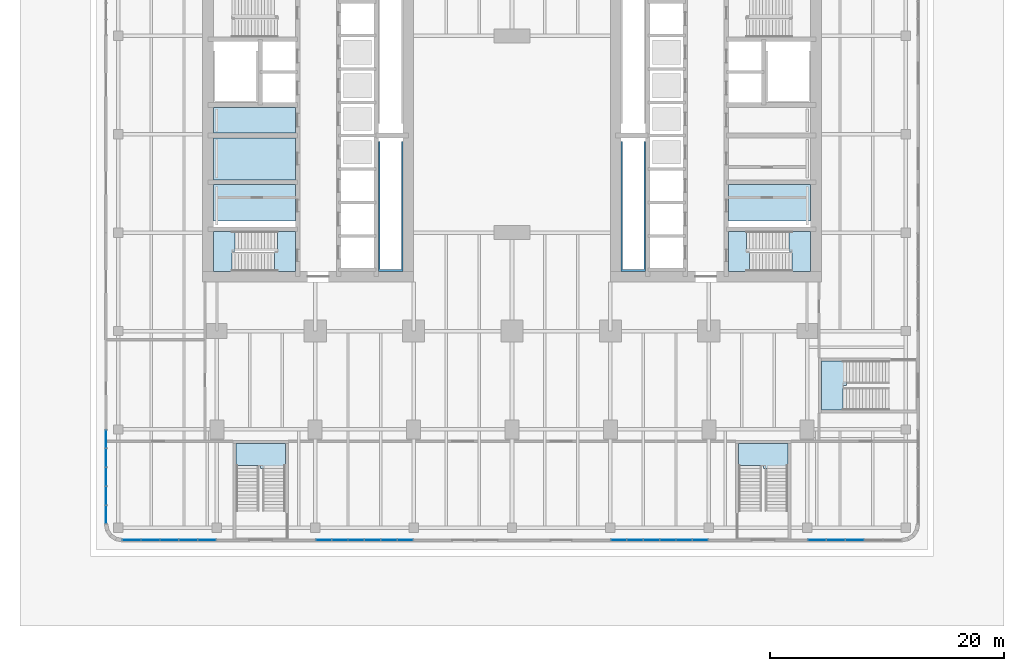
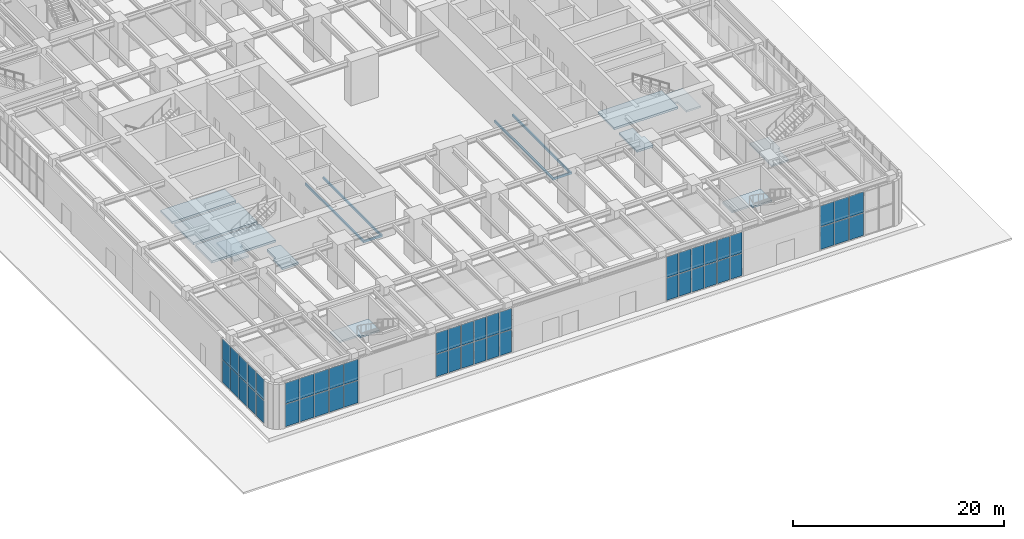
# One storey, part 13 of 31: 50 plates, 13 slabs, 10 elements without a shape of their own.
"""IFC4 building model written with IfcOpenShell, lengths in metres."""

from ifc_helpers import new_model, si_unit, direction, frame, origin, origin_2d, place, context, subcontext, project, spatial, polyline, rectangle, outline, extrude, material, layer, layer_set, type_object, element, aggregate, save


model = new_model("IFC4")

# Units and contexts
model_context = context("Model", 3, precision=1e-05, world=origin(), true_north=direction((0.0, 1.0)))
body_context = subcontext(model_context, "Body", "Model", "MODEL_VIEW")
ifc_project = project(units=[si_unit("LENGTHUNIT", "METRE"), si_unit("AREAUNIT", "SQUARE_METRE"), si_unit("VOLUMEUNIT", "CUBIC_METRE"), si_unit("PLANEANGLEUNIT", "RADIAN"), si_unit("MASSUNIT", "GRAM", prefix="KILO")], contexts=[model_context])

# Site, building, storey
site_placement = place(None, origin())
site = spatial("IfcSite", under=ifc_project, at=site_placement, CompositionType="ELEMENT")
building_placement = place(site_placement, origin())
building = spatial("IfcBuilding", under=site, at=building_placement, Name="Claustro Exchange Tower", CompositionType="ELEMENT")
storey_placement = place(building_placement, origin())
storey = spatial("IfcBuildingStorey", under=building, at=storey_placement, Name="L00", CompositionType="ELEMENT", Elevation=0.0)

# Curtain wall, plates
ifc_material_1 = material(Name="Aluminium frame, clear double glazing", Category="aluminium")
curtain_wall_type = type_object("IfcCurtainWallType", Name="CW1 storefront curtain wall", PredefinedType="USERDEFINED", material=ifc_material_1)
curtain_wall_1_placement = place(storey_placement, origin())
curtain_wall_1 = element("IfcCurtainWall", 1, at=curtain_wall_1_placement, inside=storey, type_object=curtain_wall_type, Name="Curtain wall CW1 L00", ObjectType="STICK CURTAIN WALL", PredefinedType="USERDEFINED")
ifc_material_2 = material(Name="Clear double glazing", Category="glass")
ifc_layer_1 = layer(ifc_material_2, 0.031982421875)
ifc_layer_set_1 = layer_set([ifc_layer_1], Name="Clear double glazing")
plate_type = type_object("IfcPlateType", Name="CW1-P 32 glazed panel", PredefinedType="CURTAIN_PANEL", material=ifc_layer_set_1)
plate_1_placement = place(storey_placement, frame((-7.2578125, -9.449951171875, 0.074951171875), z_axis=(0.0, 0.0, 1.0), x_axis=(1.0, 0.0, 0.0)))
plate_1 = element("IfcPlate", 2, at=plate_1_placement, type_object=plate_type, Name="CW1 panel 1.1", PredefinedType="CURTAIN_PANEL", context=body_context, shape_type="SweptSolid", body=[
    extrude(rectangle(XDim=1.504638671875, YDim=0.031982421875, at=origin_2d()), origin(), (0.0, 0.0, 1.0), 2.58740234375),
])
plate_2_placement = place(storey_placement, frame((-7.2578125, -9.449951171875, 2.7373046875), z_axis=(0.0, 0.0, 1.0), x_axis=(1.0, 0.0, 0.0)))
plate_2 = element("IfcPlate", 3, at=plate_2_placement, type_object=plate_type, Name="CW1 panel 1.2", PredefinedType="CURTAIN_PANEL", context=body_context, shape_type="SweptSolid", body=[
    extrude(rectangle(XDim=1.504638671875, YDim=0.031982421875, at=origin_2d()), origin(), (0.0, 0.0, 1.0), 2.387451171875),
])
plate_3_placement = place(storey_placement, frame((-5.65966796875, -9.449951171875, 0.074951171875), z_axis=(0.0, 0.0, 1.0), x_axis=(1.0, 0.0, 0.0)))
plate_3 = element("IfcPlate", 4, at=plate_3_placement, type_object=plate_type, Name="CW1 panel 2.1", PredefinedType="CURTAIN_PANEL", context=body_context, shape_type="SweptSolid", body=[
    extrude(rectangle(XDim=1.5419921875, YDim=0.031982421875, at=origin_2d()), origin(), (0.0, 0.0, 1.0), 2.58740234375),
])
plate_4_placement = place(storey_placement, frame((-5.65966796875, -9.449951171875, 2.7373046875), z_axis=(0.0, 0.0, 1.0), x_axis=(1.0, 0.0, 0.0)))
plate_4 = element("IfcPlate", 5, at=plate_4_placement, type_object=plate_type, Name="CW1 panel 2.2", PredefinedType="CURTAIN_PANEL", context=body_context, shape_type="SweptSolid", body=[
    extrude(rectangle(XDim=1.5419921875, YDim=0.031982421875, at=origin_2d()), origin(), (0.0, 0.0, 1.0), 2.387451171875),
])
plate_5_placement = place(storey_placement, frame((-4.04248046875, -9.449951171875, 0.074951171875), z_axis=(0.0, 0.0, 1.0), x_axis=(1.0, 0.0, 0.0)))
plate_5 = element("IfcPlate", 6, at=plate_5_placement, type_object=plate_type, Name="CW1 panel 3.1", PredefinedType="CURTAIN_PANEL", context=body_context, shape_type="SweptSolid", body=[
    extrude(rectangle(XDim=1.5419921875, YDim=0.031982421875, at=origin_2d()), origin(), (0.0, 0.0, 1.0), 2.58740234375),
])
plate_6_placement = place(storey_placement, frame((-4.04248046875, -9.449951171875, 2.7373046875), z_axis=(0.0, 0.0, 1.0), x_axis=(1.0, 0.0, 0.0)))
plate_6 = element("IfcPlate", 7, at=plate_6_placement, type_object=plate_type, Name="CW1 panel 3.2", PredefinedType="CURTAIN_PANEL", context=body_context, shape_type="SweptSolid", body=[
    extrude(rectangle(XDim=1.5419921875, YDim=0.031982421875, at=origin_2d()), origin(), (0.0, 0.0, 1.0), 2.387451171875),
])
plate_7_placement = place(storey_placement, frame((-2.425537109375, -9.449951171875, 0.074951171875), z_axis=(0.0, 0.0, 1.0), x_axis=(1.0, 0.0, 0.0)))
plate_7 = element("IfcPlate", 8, at=plate_7_placement, type_object=plate_type, Name="CW1 panel 4.1", PredefinedType="CURTAIN_PANEL", context=body_context, shape_type="SweptSolid", body=[
    extrude(rectangle(XDim=1.5419921875, YDim=0.031982421875, at=origin_2d()), origin(), (0.0, 0.0, 1.0), 2.58740234375),
])
plate_8_placement = place(storey_placement, frame((-2.425537109375, -9.449951171875, 2.7373046875), z_axis=(0.0, 0.0, 1.0), x_axis=(1.0, 0.0, 0.0)))
plate_8 = element("IfcPlate", 9, at=plate_8_placement, type_object=plate_type, Name="CW1 panel 4.2", PredefinedType="CURTAIN_PANEL", context=body_context, shape_type="SweptSolid", body=[
    extrude(rectangle(XDim=1.5419921875, YDim=0.031982421875, at=origin_2d()), origin(), (0.0, 0.0, 1.0), 2.387451171875),
])
plate_9_placement = place(storey_placement, frame((-0.8271484375, -9.449951171875, 0.074951171875), z_axis=(0.0, 0.0, 1.0), x_axis=(1.0, 0.0, 0.0)))
plate_9 = element("IfcPlate", 10, at=plate_9_placement, type_object=plate_type, Name="CW1 panel 5.1", PredefinedType="CURTAIN_PANEL", context=body_context, shape_type="SweptSolid", body=[
    extrude(rectangle(XDim=1.504638671875, YDim=0.031982421875, at=origin_2d()), origin(), (0.0, 0.0, 1.0), 2.58740234375),
])
plate_10_placement = place(storey_placement, frame((-0.8271484375, -9.449951171875, 2.7373046875), z_axis=(0.0, 0.0, 1.0), x_axis=(1.0, 0.0, 0.0)))
plate_10 = element("IfcPlate", 11, at=plate_10_placement, type_object=plate_type, Name="CW1 panel 5.2", PredefinedType="CURTAIN_PANEL", context=body_context, shape_type="SweptSolid", body=[
    extrude(rectangle(XDim=1.504638671875, YDim=0.031982421875, at=origin_2d()), origin(), (0.0, 0.0, 1.0), 2.387451171875),
])
aggregate(curtain_wall_1, [plate_1, plate_2, plate_3, plate_4, plate_5, plate_6, plate_7, plate_8, plate_9, plate_10])

curtain_wall_2_placement = place(storey_placement, origin())
curtain_wall_2 = element("IfcCurtainWall", 12, at=curtain_wall_2_placement, inside=storey, type_object=curtain_wall_type, Name="Curtain wall CW1 L00", ObjectType="STICK CURTAIN WALL", PredefinedType="USERDEFINED")
plate_11_placement = place(storey_placement, frame((9.11865234375, -9.449951171875, 0.074951171875), z_axis=(0.0, 0.0, 1.0), x_axis=(1.0, 0.0, 0.0)))
plate_11 = element("IfcPlate", 13, at=plate_11_placement, type_object=plate_type, Name="CW1 panel 1.1", PredefinedType="CURTAIN_PANEL", context=body_context, shape_type="SweptSolid", body=[
    extrude(rectangle(XDim=1.28759765625, YDim=0.031982421875, at=origin_2d()), origin(), (0.0, 0.0, 1.0), 2.58740234375),
])
plate_12_placement = place(storey_placement, frame((9.11865234375, -9.449951171875, 2.7373046875), z_axis=(0.0, 0.0, 1.0), x_axis=(1.0, 0.0, 0.0)))
plate_12 = element("IfcPlate", 14, at=plate_12_placement, type_object=plate_type, Name="CW1 panel 1.2", PredefinedType="CURTAIN_PANEL", context=body_context, shape_type="SweptSolid", body=[
    extrude(rectangle(XDim=1.28759765625, YDim=0.031982421875, at=origin_2d()), origin(), (0.0, 0.0, 1.0), 2.387451171875),
])
plate_13_placement = place(storey_placement, frame((10.5, -9.449951171875, 0.074951171875), z_axis=(0.0, 0.0, 1.0), x_axis=(1.0, 0.0, 0.0)))
plate_13 = element("IfcPlate", 15, at=plate_13_placement, type_object=plate_type, Name="CW1 panel 2.1", PredefinedType="CURTAIN_PANEL", context=body_context, shape_type="SweptSolid", body=[
    extrude(rectangle(XDim=1.324951171875, YDim=0.031982421875, at=origin_2d()), origin(), (0.0, 0.0, 1.0), 2.58740234375),
])
plate_14_placement = place(storey_placement, frame((10.5, -9.449951171875, 2.7373046875), z_axis=(0.0, 0.0, 1.0), x_axis=(1.0, 0.0, 0.0)))
plate_14 = element("IfcPlate", 16, at=plate_14_placement, type_object=plate_type, Name="CW1 panel 2.2", PredefinedType="CURTAIN_PANEL", context=body_context, shape_type="SweptSolid", body=[
    extrude(rectangle(XDim=1.324951171875, YDim=0.031982421875, at=origin_2d()), origin(), (0.0, 0.0, 1.0), 2.387451171875),
])
plate_15_placement = place(storey_placement, frame((11.89990234375, -9.449951171875, 0.074951171875), z_axis=(0.0, 0.0, 1.0), x_axis=(1.0, 0.0, 0.0)))
plate_15 = element("IfcPlate", 17, at=plate_15_placement, type_object=plate_type, Name="CW1 panel 3.1", PredefinedType="CURTAIN_PANEL", context=body_context, shape_type="SweptSolid", body=[
    extrude(rectangle(XDim=1.324951171875, YDim=0.031982421875, at=origin_2d()), origin(), (0.0, 0.0, 1.0), 2.58740234375),
])
plate_16_placement = place(storey_placement, frame((11.89990234375, -9.449951171875, 2.7373046875), z_axis=(0.0, 0.0, 1.0), x_axis=(1.0, 0.0, 0.0)))
plate_16 = element("IfcPlate", 18, at=plate_16_placement, type_object=plate_type, Name="CW1 panel 3.2", PredefinedType="CURTAIN_PANEL", context=body_context, shape_type="SweptSolid", body=[
    extrude(rectangle(XDim=1.324951171875, YDim=0.031982421875, at=origin_2d()), origin(), (0.0, 0.0, 1.0), 2.387451171875),
])
plate_17_placement = place(storey_placement, frame((13.300048828125, -9.449951171875, 0.074951171875), z_axis=(0.0, 0.0, 1.0), x_axis=(1.0, 0.0, 0.0)))
plate_17 = element("IfcPlate", 19, at=plate_17_placement, type_object=plate_type, Name="CW1 panel 4.1", PredefinedType="CURTAIN_PANEL", context=body_context, shape_type="SweptSolid", body=[
    extrude(rectangle(XDim=1.324951171875, YDim=0.031982421875, at=origin_2d()), origin(), (0.0, 0.0, 1.0), 2.58740234375),
])
plate_18_placement = place(storey_placement, frame((13.300048828125, -9.449951171875, 2.7373046875), z_axis=(0.0, 0.0, 1.0), x_axis=(1.0, 0.0, 0.0)))
plate_18 = element("IfcPlate", 20, at=plate_18_placement, type_object=plate_type, Name="CW1 panel 4.2", PredefinedType="CURTAIN_PANEL", context=body_context, shape_type="SweptSolid", body=[
    extrude(rectangle(XDim=1.324951171875, YDim=0.031982421875, at=origin_2d()), origin(), (0.0, 0.0, 1.0), 2.387451171875),
])
plate_19_placement = place(storey_placement, frame((14.699951171875, -9.449951171875, 0.074951171875), z_axis=(0.0, 0.0, 1.0), x_axis=(1.0, 0.0, 0.0)))
plate_19 = element("IfcPlate", 21, at=plate_19_placement, type_object=plate_type, Name="CW1 panel 5.1", PredefinedType="CURTAIN_PANEL", context=body_context, shape_type="SweptSolid", body=[
    extrude(rectangle(XDim=1.324951171875, YDim=0.031982421875, at=origin_2d()), origin(), (0.0, 0.0, 1.0), 2.58740234375),
])
plate_20_placement = place(storey_placement, frame((14.699951171875, -9.449951171875, 2.7373046875), z_axis=(0.0, 0.0, 1.0), x_axis=(1.0, 0.0, 0.0)))
plate_20 = element("IfcPlate", 22, at=plate_20_placement, type_object=plate_type, Name="CW1 panel 5.2", PredefinedType="CURTAIN_PANEL", context=body_context, shape_type="SweptSolid", body=[
    extrude(rectangle(XDim=1.324951171875, YDim=0.031982421875, at=origin_2d()), origin(), (0.0, 0.0, 1.0), 2.387451171875),
])
plate_21_placement = place(storey_placement, frame((16.081298828125, -9.449951171875, 0.074951171875), z_axis=(0.0, 0.0, 1.0), x_axis=(1.0, 0.0, 0.0)))
plate_21 = element("IfcPlate", 23, at=plate_21_placement, type_object=plate_type, Name="CW1 panel 6.1", PredefinedType="CURTAIN_PANEL", context=body_context, shape_type="SweptSolid", body=[
    extrude(rectangle(XDim=1.28759765625, YDim=0.031982421875, at=origin_2d()), origin(), (0.0, 0.0, 1.0), 2.58740234375),
])
plate_22_placement = place(storey_placement, frame((16.081298828125, -9.449951171875, 2.7373046875), z_axis=(0.0, 0.0, 1.0), x_axis=(1.0, 0.0, 0.0)))
plate_22 = element("IfcPlate", 24, at=plate_22_placement, type_object=plate_type, Name="CW1 panel 6.2", PredefinedType="CURTAIN_PANEL", context=body_context, shape_type="SweptSolid", body=[
    extrude(rectangle(XDim=1.28759765625, YDim=0.031982421875, at=origin_2d()), origin(), (0.0, 0.0, 1.0), 2.387451171875),
])
aggregate(curtain_wall_2, [plate_11, plate_12, plate_13, plate_14, plate_15, plate_16, plate_17, plate_18, plate_19, plate_20, plate_21, plate_22])

curtain_wall_3_placement = place(storey_placement, origin())
curtain_wall_3 = element("IfcCurtainWall", 25, at=curtain_wall_3_placement, inside=storey, type_object=curtain_wall_type, Name="Curtain wall CW1 L00", ObjectType="STICK CURTAIN WALL", PredefinedType="USERDEFINED")
plate_23_placement = place(storey_placement, frame((34.31884765625, -9.449951171875, 0.074951171875), z_axis=(0.0, 0.0, 1.0), x_axis=(1.0, 0.0, 0.0)))
plate_23 = element("IfcPlate", 26, at=plate_23_placement, type_object=plate_type, Name="CW1 panel 1.1", PredefinedType="CURTAIN_PANEL", context=body_context, shape_type="SweptSolid", body=[
    extrude(rectangle(XDim=1.28759765625, YDim=0.031982421875, at=origin_2d()), origin(), (0.0, 0.0, 1.0), 2.58740234375),
])
plate_24_placement = place(storey_placement, frame((34.31884765625, -9.449951171875, 2.7373046875), z_axis=(0.0, 0.0, 1.0), x_axis=(1.0, 0.0, 0.0)))
plate_24 = element("IfcPlate", 27, at=plate_24_placement, type_object=plate_type, Name="CW1 panel 1.2", PredefinedType="CURTAIN_PANEL", context=body_context, shape_type="SweptSolid", body=[
    extrude(rectangle(XDim=1.28759765625, YDim=0.031982421875, at=origin_2d()), origin(), (0.0, 0.0, 1.0), 2.387451171875),
])
plate_25_placement = place(storey_placement, frame((35.699951171875, -9.449951171875, 0.074951171875), z_axis=(0.0, 0.0, 1.0), x_axis=(1.0, 0.0, 0.0)))
plate_25 = element("IfcPlate", 28, at=plate_25_placement, type_object=plate_type, Name="CW1 panel 2.1", PredefinedType="CURTAIN_PANEL", context=body_context, shape_type="SweptSolid", body=[
    extrude(rectangle(XDim=1.324951171875, YDim=0.031982421875, at=origin_2d()), origin(), (0.0, 0.0, 1.0), 2.58740234375),
])
plate_26_placement = place(storey_placement, frame((35.699951171875, -9.449951171875, 2.7373046875), z_axis=(0.0, 0.0, 1.0), x_axis=(1.0, 0.0, 0.0)))
plate_26 = element("IfcPlate", 29, at=plate_26_placement, type_object=plate_type, Name="CW1 panel 2.2", PredefinedType="CURTAIN_PANEL", context=body_context, shape_type="SweptSolid", body=[
    extrude(rectangle(XDim=1.324951171875, YDim=0.031982421875, at=origin_2d()), origin(), (0.0, 0.0, 1.0), 2.387451171875),
])
plate_27_placement = place(storey_placement, frame((37.10009765625, -9.449951171875, 0.074951171875), z_axis=(0.0, 0.0, 1.0), x_axis=(1.0, 0.0, 0.0)))
plate_27 = element("IfcPlate", 30, at=plate_27_placement, type_object=plate_type, Name="CW1 panel 3.1", PredefinedType="CURTAIN_PANEL", context=body_context, shape_type="SweptSolid", body=[
    extrude(rectangle(XDim=1.324951171875, YDim=0.031982421875, at=origin_2d()), origin(), (0.0, 0.0, 1.0), 2.58740234375),
])
plate_28_placement = place(storey_placement, frame((37.10009765625, -9.449951171875, 2.7373046875), z_axis=(0.0, 0.0, 1.0), x_axis=(1.0, 0.0, 0.0)))
plate_28 = element("IfcPlate", 31, at=plate_28_placement, type_object=plate_type, Name="CW1 panel 3.2", PredefinedType="CURTAIN_PANEL", context=body_context, shape_type="SweptSolid", body=[
    extrude(rectangle(XDim=1.324951171875, YDim=0.031982421875, at=origin_2d()), origin(), (0.0, 0.0, 1.0), 2.387451171875),
])
plate_29_placement = place(storey_placement, frame((38.5, -9.449951171875, 0.074951171875), z_axis=(0.0, 0.0, 1.0), x_axis=(1.0, 0.0, 0.0)))
plate_29 = element("IfcPlate", 32, at=plate_29_placement, type_object=plate_type, Name="CW1 panel 4.1", PredefinedType="CURTAIN_PANEL", context=body_context, shape_type="SweptSolid", body=[
    extrude(rectangle(XDim=1.324951171875, YDim=0.031982421875, at=origin_2d()), origin(), (0.0, 0.0, 1.0), 2.58740234375),
])
plate_30_placement = place(storey_placement, frame((38.5, -9.449951171875, 2.7373046875), z_axis=(0.0, 0.0, 1.0), x_axis=(1.0, 0.0, 0.0)))
plate_30 = element("IfcPlate", 33, at=plate_30_placement, type_object=plate_type, Name="CW1 panel 4.2", PredefinedType="CURTAIN_PANEL", context=body_context, shape_type="SweptSolid", body=[
    extrude(rectangle(XDim=1.324951171875, YDim=0.031982421875, at=origin_2d()), origin(), (0.0, 0.0, 1.0), 2.387451171875),
])
plate_31_placement = place(storey_placement, frame((39.89990234375, -9.449951171875, 0.074951171875), z_axis=(0.0, 0.0, 1.0), x_axis=(1.0, 0.0, 0.0)))
plate_31 = element("IfcPlate", 34, at=plate_31_placement, type_object=plate_type, Name="CW1 panel 5.1", PredefinedType="CURTAIN_PANEL", context=body_context, shape_type="SweptSolid", body=[
    extrude(rectangle(XDim=1.324951171875, YDim=0.031982421875, at=origin_2d()), origin(), (0.0, 0.0, 1.0), 2.58740234375),
])
plate_32_placement = place(storey_placement, frame((39.89990234375, -9.449951171875, 2.7373046875), z_axis=(0.0, 0.0, 1.0), x_axis=(1.0, 0.0, 0.0)))
plate_32 = element("IfcPlate", 35, at=plate_32_placement, type_object=plate_type, Name="CW1 panel 5.2", PredefinedType="CURTAIN_PANEL", context=body_context, shape_type="SweptSolid", body=[
    extrude(rectangle(XDim=1.324951171875, YDim=0.031982421875, at=origin_2d()), origin(), (0.0, 0.0, 1.0), 2.387451171875),
])
plate_33_placement = place(storey_placement, frame((41.28125, -9.449951171875, 0.074951171875), z_axis=(0.0, 0.0, 1.0), x_axis=(1.0, 0.0, 0.0)))
plate_33 = element("IfcPlate", 36, at=plate_33_placement, type_object=plate_type, Name="CW1 panel 6.1", PredefinedType="CURTAIN_PANEL", context=body_context, shape_type="SweptSolid", body=[
    extrude(rectangle(XDim=1.28759765625, YDim=0.031982421875, at=origin_2d()), origin(), (0.0, 0.0, 1.0), 2.58740234375),
])
plate_34_placement = place(storey_placement, frame((41.28125, -9.449951171875, 2.7373046875), z_axis=(0.0, 0.0, 1.0), x_axis=(1.0, 0.0, 0.0)))
plate_34 = element("IfcPlate", 37, at=plate_34_placement, type_object=plate_type, Name="CW1 panel 6.2", PredefinedType="CURTAIN_PANEL", context=body_context, shape_type="SweptSolid", body=[
    extrude(rectangle(XDim=1.28759765625, YDim=0.031982421875, at=origin_2d()), origin(), (0.0, 0.0, 1.0), 2.387451171875),
])
aggregate(curtain_wall_3, [plate_23, plate_24, plate_25, plate_26, plate_27, plate_28, plate_29, plate_30, plate_31, plate_32, plate_33, plate_34])

curtain_wall_4_placement = place(storey_placement, origin())
curtain_wall_4 = element("IfcCurtainWall", 38, at=curtain_wall_4_placement, inside=storey, type_object=curtain_wall_type, Name="Curtain wall CW1 L00", ObjectType="STICK CURTAIN WALL", PredefinedType="USERDEFINED")
plate_35_placement = place(storey_placement, frame((51.227294921875, -9.449951171875, 0.074951171875), z_axis=(0.0, 0.0, 1.0), x_axis=(1.0, 0.0, 0.0)))
plate_35 = element("IfcPlate", 39, at=plate_35_placement, type_object=plate_type, Name="CW1 panel 1.1", PredefinedType="CURTAIN_PANEL", context=body_context, shape_type="SweptSolid", body=[
    extrude(rectangle(XDim=1.504638671875, YDim=0.031982421875, at=origin_2d()), origin(), (0.0, 0.0, 1.0), 2.58740234375),
])
plate_36_placement = place(storey_placement, frame((51.227294921875, -9.449951171875, 2.7373046875), z_axis=(0.0, 0.0, 1.0), x_axis=(1.0, 0.0, 0.0)))
plate_36 = element("IfcPlate", 40, at=plate_36_placement, type_object=plate_type, Name="CW1 panel 1.2", PredefinedType="CURTAIN_PANEL", context=body_context, shape_type="SweptSolid", body=[
    extrude(rectangle(XDim=1.504638671875, YDim=0.031982421875, at=origin_2d()), origin(), (0.0, 0.0, 1.0), 2.387451171875),
])
plate_37_placement = place(storey_placement, frame((52.825439453125, -9.449951171875, 0.074951171875), z_axis=(0.0, 0.0, 1.0), x_axis=(1.0, 0.0, 0.0)))
plate_37 = element("IfcPlate", 41, at=plate_37_placement, type_object=plate_type, Name="CW1 panel 2.1", PredefinedType="CURTAIN_PANEL", context=body_context, shape_type="SweptSolid", body=[
    extrude(rectangle(XDim=1.5419921875, YDim=0.031982421875, at=origin_2d()), origin(), (0.0, 0.0, 1.0), 2.58740234375),
])
plate_38_placement = place(storey_placement, frame((52.825439453125, -9.449951171875, 2.7373046875), z_axis=(0.0, 0.0, 1.0), x_axis=(1.0, 0.0, 0.0)))
plate_38 = element("IfcPlate", 42, at=plate_38_placement, type_object=plate_type, Name="CW1 panel 2.2", PredefinedType="CURTAIN_PANEL", context=body_context, shape_type="SweptSolid", body=[
    extrude(rectangle(XDim=1.5419921875, YDim=0.031982421875, at=origin_2d()), origin(), (0.0, 0.0, 1.0), 2.387451171875),
])
plate_39_placement = place(storey_placement, frame((54.442626953125, -9.449951171875, 0.074951171875), z_axis=(0.0, 0.0, 1.0), x_axis=(1.0, 0.0, 0.0)))
plate_39 = element("IfcPlate", 43, at=plate_39_placement, type_object=plate_type, Name="CW1 panel 3.1", PredefinedType="CURTAIN_PANEL", context=body_context, shape_type="SweptSolid", body=[
    extrude(rectangle(XDim=1.5419921875, YDim=0.031982421875, at=origin_2d()), origin(), (0.0, 0.0, 1.0), 2.58740234375),
])
plate_40_placement = place(storey_placement, frame((54.442626953125, -9.449951171875, 2.7373046875), z_axis=(0.0, 0.0, 1.0), x_axis=(1.0, 0.0, 0.0)))
plate_40 = element("IfcPlate", 44, at=plate_40_placement, type_object=plate_type, Name="CW1 panel 3.2", PredefinedType="CURTAIN_PANEL", context=body_context, shape_type="SweptSolid", body=[
    extrude(rectangle(XDim=1.5419921875, YDim=0.031982421875, at=origin_2d()), origin(), (0.0, 0.0, 1.0), 2.387451171875),
])
aggregate(curtain_wall_4, [plate_35, plate_36, plate_37, plate_38, plate_39, plate_40])

curtain_wall_5_placement = place(storey_placement, origin())
curtain_wall_5 = element("IfcCurtainWall", 45, at=curtain_wall_5_placement, inside=storey, type_object=curtain_wall_type, Name="Curtain wall CW1 L00", ObjectType="STICK CURTAIN WALL", PredefinedType="USERDEFINED")
plate_41_placement = place(storey_placement, frame((-9.449951171875, -7.2578125, 0.074951171875), z_axis=(0.0, 0.0, 1.0), x_axis=(0.0, 1.0, 0.0)))
plate_41 = element("IfcPlate", 46, at=plate_41_placement, type_object=plate_type, Name="CW1 panel 1.1", PredefinedType="CURTAIN_PANEL", context=body_context, shape_type="SweptSolid", body=[
    extrude(rectangle(XDim=1.504638671875, YDim=0.031982421875, at=origin_2d()), origin(), (0.0, 0.0, 1.0), 2.58740234375),
])
plate_42_placement = place(storey_placement, frame((-9.449951171875, -7.2578125, 2.7373046875), z_axis=(0.0, 0.0, 1.0), x_axis=(0.0, 1.0, 0.0)))
plate_42 = element("IfcPlate", 47, at=plate_42_placement, type_object=plate_type, Name="CW1 panel 1.2", PredefinedType="CURTAIN_PANEL", context=body_context, shape_type="SweptSolid", body=[
    extrude(rectangle(XDim=1.504638671875, YDim=0.031982421875, at=origin_2d()), origin(), (0.0, 0.0, 1.0), 2.387451171875),
])
plate_43_placement = place(storey_placement, frame((-9.449951171875, -5.65966796875, 0.074951171875), z_axis=(0.0, 0.0, 1.0), x_axis=(0.0, 1.0, 0.0)))
plate_43 = element("IfcPlate", 48, at=plate_43_placement, type_object=plate_type, Name="CW1 panel 2.1", PredefinedType="CURTAIN_PANEL", context=body_context, shape_type="SweptSolid", body=[
    extrude(rectangle(XDim=1.5419921875, YDim=0.031982421875, at=origin_2d()), origin(), (0.0, 0.0, 1.0), 2.58740234375),
])
plate_44_placement = place(storey_placement, frame((-9.449951171875, -5.65966796875, 2.7373046875), z_axis=(0.0, 0.0, 1.0), x_axis=(0.0, 1.0, 0.0)))
plate_44 = element("IfcPlate", 49, at=plate_44_placement, type_object=plate_type, Name="CW1 panel 2.2", PredefinedType="CURTAIN_PANEL", context=body_context, shape_type="SweptSolid", body=[
    extrude(rectangle(XDim=1.5419921875, YDim=0.031982421875, at=origin_2d()), origin(), (0.0, 0.0, 1.0), 2.387451171875),
])
plate_45_placement = place(storey_placement, frame((-9.449951171875, -4.04248046875, 0.074951171875), z_axis=(0.0, 0.0, 1.0), x_axis=(0.0, 1.0, 0.0)))
plate_45 = element("IfcPlate", 50, at=plate_45_placement, type_object=plate_type, Name="CW1 panel 3.1", PredefinedType="CURTAIN_PANEL", context=body_context, shape_type="SweptSolid", body=[
    extrude(rectangle(XDim=1.5419921875, YDim=0.031982421875, at=origin_2d()), origin(), (0.0, 0.0, 1.0), 2.58740234375),
])
plate_46_placement = place(storey_placement, frame((-9.449951171875, -4.04248046875, 2.7373046875), z_axis=(0.0, 0.0, 1.0), x_axis=(0.0, 1.0, 0.0)))
plate_46 = element("IfcPlate", 51, at=plate_46_placement, type_object=plate_type, Name="CW1 panel 3.2", PredefinedType="CURTAIN_PANEL", context=body_context, shape_type="SweptSolid", body=[
    extrude(rectangle(XDim=1.5419921875, YDim=0.031982421875, at=origin_2d()), origin(), (0.0, 0.0, 1.0), 2.387451171875),
])
plate_47_placement = place(storey_placement, frame((-9.449951171875, -2.425537109375, 0.074951171875), z_axis=(0.0, 0.0, 1.0), x_axis=(0.0, 1.0, 0.0)))
plate_47 = element("IfcPlate", 52, at=plate_47_placement, type_object=plate_type, Name="CW1 panel 4.1", PredefinedType="CURTAIN_PANEL", context=body_context, shape_type="SweptSolid", body=[
    extrude(rectangle(XDim=1.5419921875, YDim=0.031982421875, at=origin_2d()), origin(), (0.0, 0.0, 1.0), 2.58740234375),
])
plate_48_placement = place(storey_placement, frame((-9.449951171875, -2.425537109375, 2.7373046875), z_axis=(0.0, 0.0, 1.0), x_axis=(0.0, 1.0, 0.0)))
plate_48 = element("IfcPlate", 53, at=plate_48_placement, type_object=plate_type, Name="CW1 panel 4.2", PredefinedType="CURTAIN_PANEL", context=body_context, shape_type="SweptSolid", body=[
    extrude(rectangle(XDim=1.5419921875, YDim=0.031982421875, at=origin_2d()), origin(), (0.0, 0.0, 1.0), 2.387451171875),
])
plate_49_placement = place(storey_placement, frame((-9.449951171875, -0.8271484375, 0.074951171875), z_axis=(0.0, 0.0, 1.0), x_axis=(0.0, 1.0, 0.0)))
plate_49 = element("IfcPlate", 54, at=plate_49_placement, type_object=plate_type, Name="CW1 panel 5.1", PredefinedType="CURTAIN_PANEL", context=body_context, shape_type="SweptSolid", body=[
    extrude(rectangle(XDim=1.504638671875, YDim=0.031982421875, at=origin_2d()), origin(), (0.0, 0.0, 1.0), 2.58740234375),
])
plate_50_placement = place(storey_placement, frame((-9.449951171875, -0.8271484375, 2.7373046875), z_axis=(0.0, 0.0, 1.0), x_axis=(0.0, 1.0, 0.0)))
plate_50 = element("IfcPlate", 55, at=plate_50_placement, type_object=plate_type, Name="CW1 panel 5.2", PredefinedType="CURTAIN_PANEL", context=body_context, shape_type="SweptSolid", body=[
    extrude(rectangle(XDim=1.504638671875, YDim=0.031982421875, at=origin_2d()), origin(), (0.0, 0.0, 1.0), 2.387451171875),
])
aggregate(curtain_wall_5, [plate_41, plate_42, plate_43, plate_44, plate_45, plate_46, plate_47, plate_48, plate_49, plate_50])

# Slabs
ifc_material_3 = material(Name="Concrete HA-50 (C50/60)", Category="concrete")
ifc_layer_2 = layer(ifc_material_3, 0.25)
ifc_layer_set_2 = layer_set([ifc_layer_2], Name="Concrete HA-50 (C50/60)")
slab_type_1 = type_object("IfcSlabType", Name="S7 250 core floor slab", PredefinedType="FLOOR", material=ifc_layer_set_2)
slab_1_placement = place(storey_placement, frame((0.0, 0.0, -0.25)))
element("IfcSlab", 56, at=slab_1_placement, inside=storey, type_object=slab_type_1, Name="Core floor slab S7 W core L00", PredefinedType="FLOOR", context=body_context, shape_type="SweptSolid", body=[
    extrude(outline(polyline([(13.949951171875, 24.60009765625), (13.800048828125, 24.60009765625), (13.800048828125, 13.5), (15.89990234375, 13.5), (15.89990234375, 24.60009765625), (15.75, 24.60009765625), (15.75, 13.64990234375), (13.949951171875, 13.64990234375), (13.949951171875, 24.60009765625)])), origin(), (0.0, 0.0, 1.0), 0.25),
])
slab_2_placement = place(storey_placement, frame((0.0, 0.0, -0.25)))
element("IfcSlab", 57, at=slab_2_placement, inside=storey, type_object=slab_type_1, Name="Core floor slab S7 W core L00", PredefinedType="FLOOR", context=body_context, shape_type="SweptSolid", body=[
    extrude(outline(polyline([(6.699951171875, 27.5), (-0.300048828125, 27.5), (-0.300048828125, 25.300048828125), (6.699951171875, 25.300048828125), (6.699951171875, 27.5)])), origin(), (0.0, 0.0, 1.0), 0.25),
])
slab_3_placement = place(storey_placement, frame((0.0, 0.0, -0.25)))
element("IfcSlab", 58, at=slab_3_placement, inside=storey, type_object=slab_type_1, Name="Core floor slab S7 W core L00", PredefinedType="FLOOR", context=body_context, shape_type="SweptSolid", body=[
    extrude(outline(polyline([(4.919921875, 13.5), (6.699951171875, 13.5), (6.699951171875, 16.89990234375), (5.195068359375, 16.89990234375), (5.195068359375, 15.199951171875), (4.919921875, 15.199951171875), (4.919921875, 13.5)])), origin(), (0.0, 0.0, 1.0), 0.25),
])
slab_4_placement = place(storey_placement, frame((0.0, 0.0, -0.25)))
element("IfcSlab", 59, at=slab_4_placement, inside=storey, type_object=slab_type_1, Name="Core floor slab S7 W core L00", PredefinedType="FLOOR", context=body_context, shape_type="SweptSolid", body=[
    extrude(outline(polyline([(-0.300048828125, 17.800048828125), (6.699951171875, 17.800048828125), (6.699951171875, 20.89990234375), (-0.300048828125, 20.89990234375), (-0.300048828125, 17.800048828125)])), origin(), (0.0, 0.0, 1.0), 0.25),
])
slab_5_placement = place(storey_placement, frame((0.0, 0.0, -0.25)))
element("IfcSlab", 60, at=slab_5_placement, inside=storey, type_object=slab_type_1, Name="Core floor slab S7 W core L00", PredefinedType="FLOOR", context=body_context, shape_type="SweptSolid", body=[
    extrude(outline(polyline([(-0.300048828125, 21.300048828125), (6.699951171875, 21.300048828125), (6.699951171875, 24.89990234375), (-0.300048828125, 24.89990234375), (-0.300048828125, 21.300048828125)])), origin(), (0.0, 0.0, 1.0), 0.25),
])
slab_6_placement = place(storey_placement, frame((0.0, 0.0, -0.25)))
element("IfcSlab", 61, at=slab_6_placement, inside=storey, type_object=slab_type_1, Name="Core floor slab S7 E core L00", PredefinedType="FLOOR", context=body_context, shape_type="SweptSolid", body=[
    extrude(outline(polyline([(34.5, 24.60009765625), (34.5, 13.5), (36.60009765625, 13.5), (36.60009765625, 24.60009765625), (36.449951171875, 24.60009765625), (36.449951171875, 13.64990234375), (34.64990234375, 13.64990234375), (34.64990234375, 24.60009765625), (34.5, 24.60009765625)])), origin(), (0.0, 0.0, 1.0), 0.25),
])
slab_7_placement = place(storey_placement, frame((0.0, 0.0, -0.25)))
element("IfcSlab", 62, at=slab_7_placement, inside=storey, type_object=slab_type_1, Name="Core floor slab S7 E core L00", PredefinedType="FLOOR", context=body_context, shape_type="SweptSolid", body=[
    extrude(outline(polyline([(50.699951171875, 17.800048828125), (50.699951171875, 20.89990234375), (43.699951171875, 20.89990234375), (43.699951171875, 17.800048828125), (50.699951171875, 17.800048828125)])), origin(), (0.0, 0.0, 1.0), 0.25),
])
slab_8_placement = place(storey_placement, frame((0.0, 0.0, -0.25)))
element("IfcSlab", 63, at=slab_8_placement, inside=storey, type_object=slab_type_1, Name="Core floor slab S7 E core L00", PredefinedType="FLOOR", context=body_context, shape_type="SweptSolid", body=[
    extrude(outline(polyline([(43.699951171875, 13.5), (45.47998046875, 13.5), (45.47998046875, 15.199951171875), (45.205078125, 15.199951171875), (45.205078125, 16.89990234375), (43.699951171875, 16.89990234375), (43.699951171875, 13.5)])), origin(), (0.0, 0.0, 1.0), 0.25),
])

# Stair, slab
ifc_material_4 = material(Name="Concrete HA-30 (C30/37), precast", Category="concrete")
stair_type_1 = type_object("IfcStairType", Name="ST3 half-turn stair, 30 risers of 180", PredefinedType="HALF_TURN_STAIR", material=ifc_material_4)
stair_1_placement = place(storey_placement, origin())
stair_1 = element("IfcStair", 64, at=stair_1_placement, inside=storey, type_object=stair_type_1, Name="Stair STWA L00", PredefinedType="HALF_TURN_STAIR")
ifc_material_5 = material(Name="Concrete HA-30 (C30/37), precast", Category="concrete")
ifc_layer_3 = layer(ifc_material_5, 0.199951171875)
ifc_layer_set_3 = layer_set([ifc_layer_3], Name="Concrete HA-30 (C30/37), precast")
slab_type_2 = type_object("IfcSlabType", Name="S9 200 stair landing", PredefinedType="LANDING", material=ifc_layer_set_3)
slab_9_placement = place(storey_placement, frame((0.0, 0.0, 2.5)))
slab_9 = element("IfcSlab", 65, at=slab_9_placement, type_object=slab_type_2, Name="STWA landing 1", PredefinedType="LANDING", context=body_context, shape_type="SweptSolid", body=[
    extrude(outline(polyline([(1.284912109375, 13.5), (-0.300048828125, 13.5), (-0.300048828125, 16.89990234375), (1.280029296875, 16.89990234375), (1.284912109375, 16.89990234375), (1.56005859375, 16.89990234375), (1.56005859375, 15.199951171875), (1.284912109375, 15.199951171875), (1.284912109375, 13.5)])), origin(), (0.0, 0.0, 1.0), 0.199951171875),
])
aggregate(stair_1, [slab_9])

stair_2_placement = place(storey_placement, origin())
stair_2 = element("IfcStair", 66, at=stair_2_placement, inside=storey, type_object=stair_type_1, Name="Stair STEA L00", PredefinedType="HALF_TURN_STAIR")
slab_10_placement = place(storey_placement, frame((0.0, 0.0, 2.5)))
slab_10 = element("IfcSlab", 67, at=slab_10_placement, type_object=slab_type_2, Name="STEA landing 1", PredefinedType="LANDING", context=body_context, shape_type="SweptSolid", body=[
    extrude(outline(polyline([(50.699951171875, 16.89990234375), (50.699951171875, 13.5), (49.114990234375, 13.5), (49.114990234375, 15.199951171875), (48.840087890625, 15.199951171875), (48.840087890625, 16.89990234375), (49.114990234375, 16.89990234375), (49.1201171875, 16.89990234375), (50.699951171875, 16.89990234375)])), origin(), (0.0, 0.0, 1.0), 0.199951171875),
])
aggregate(stair_2, [slab_10])

ifc_material_6 = material(Name="Concrete HA-30 (C30/37), precast", Category="concrete")
stair_type_2 = type_object("IfcStairType", Name="ST4 half-turn podium escape stair, 30 risers of 180, 1800 flights", PredefinedType="HALF_TURN_STAIR", material=ifc_material_6)
stair_3_placement = place(storey_placement, origin())
stair_3 = element("IfcStair", 68, at=stair_3_placement, inside=storey, type_object=stair_type_2, Name="Stair STP1 L00", PredefinedType="HALF_TURN_STAIR")
slab_11_placement = place(storey_placement, frame((0.0, 0.0, 2.5)))
slab_11 = element("IfcSlab", 69, at=slab_11_placement, type_object=slab_type_2, Name="STP1 landing 1", PredefinedType="LANDING", context=body_context, shape_type="SweptSolid", body=[
    extrude(outline(polyline([(5.85009765625, -3.340087890625), (3.75, -3.340087890625), (3.75, -3.06494140625), (1.64990234375, -3.06494140625), (1.64990234375, -1.199951171875), (5.85009765625, -1.199951171875), (5.85009765625, -3.06005859375), (5.85009765625, -3.06494140625), (5.85009765625, -3.340087890625)])), origin(), (0.0, 0.0, 1.0), 0.199951171875),
])
aggregate(stair_3, [slab_11])

stair_4_placement = place(storey_placement, origin())
stair_4 = element("IfcStair", 70, at=stair_4_placement, inside=storey, type_object=stair_type_2, Name="Stair STP2 L00", PredefinedType="HALF_TURN_STAIR")
slab_12_placement = place(storey_placement, frame((0.0, 0.0, 2.5)))
slab_12 = element("IfcSlab", 71, at=slab_12_placement, type_object=slab_type_2, Name="STP2 landing 1", PredefinedType="LANDING", context=body_context, shape_type="SweptSolid", body=[
    extrude(outline(polyline([(48.75, -3.340087890625), (46.64990234375, -3.340087890625), (46.64990234375, -3.06494140625), (44.550048828125, -3.06494140625), (44.550048828125, -1.199951171875), (48.75, -1.199951171875), (48.75, -3.06005859375), (48.75, -3.06494140625), (48.75, -3.340087890625)])), origin(), (0.0, 0.0, 1.0), 0.199951171875),
])
aggregate(stair_4, [slab_12])

stair_5_placement = place(storey_placement, origin())
stair_5 = element("IfcStair", 72, at=stair_5_placement, inside=storey, type_object=stair_type_2, Name="Stair STP6 L00", PredefinedType="HALF_TURN_STAIR")
slab_13_placement = place(storey_placement, frame((0.0, 0.0, 2.5)))
slab_13 = element("IfcSlab", 73, at=slab_13_placement, type_object=slab_type_2, Name="STP6 landing 1", PredefinedType="LANDING", context=body_context, shape_type="SweptSolid", body=[
    extrude(outline(polyline([(53.465087890625, 1.64990234375), (51.60009765625, 1.64990234375), (51.60009765625, 5.85009765625), (53.4599609375, 5.85009765625), (53.465087890625, 5.85009765625), (53.739990234375, 5.85009765625), (53.739990234375, 3.75), (53.465087890625, 3.75), (53.465087890625, 1.64990234375)])), origin(), (0.0, 0.0, 1.0), 0.199951171875),
])
aggregate(stair_5, [slab_13])

save(model, "model.ifc")
